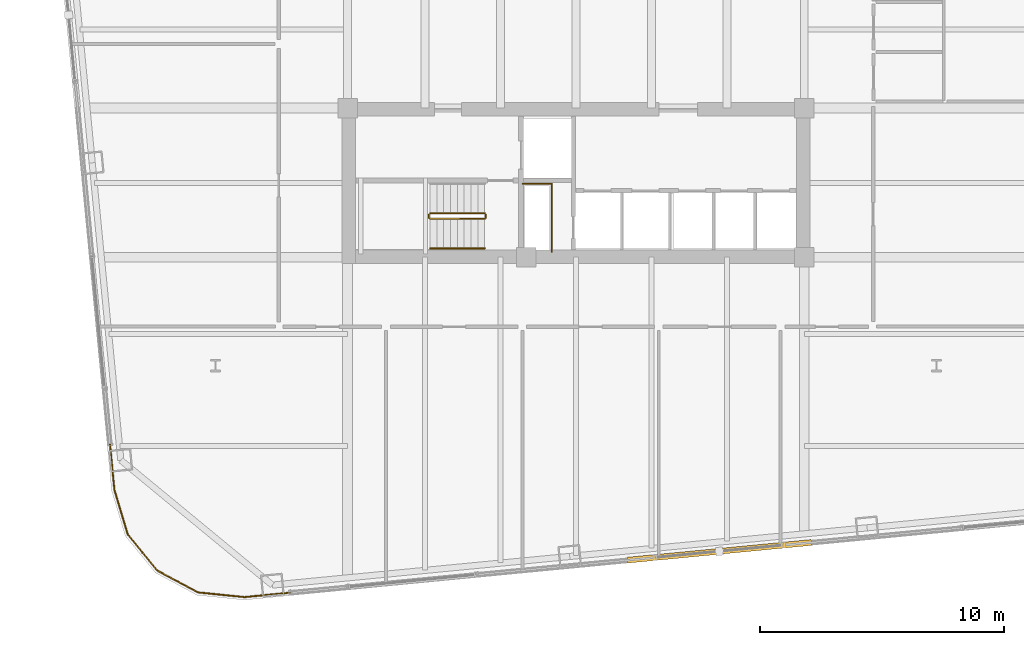
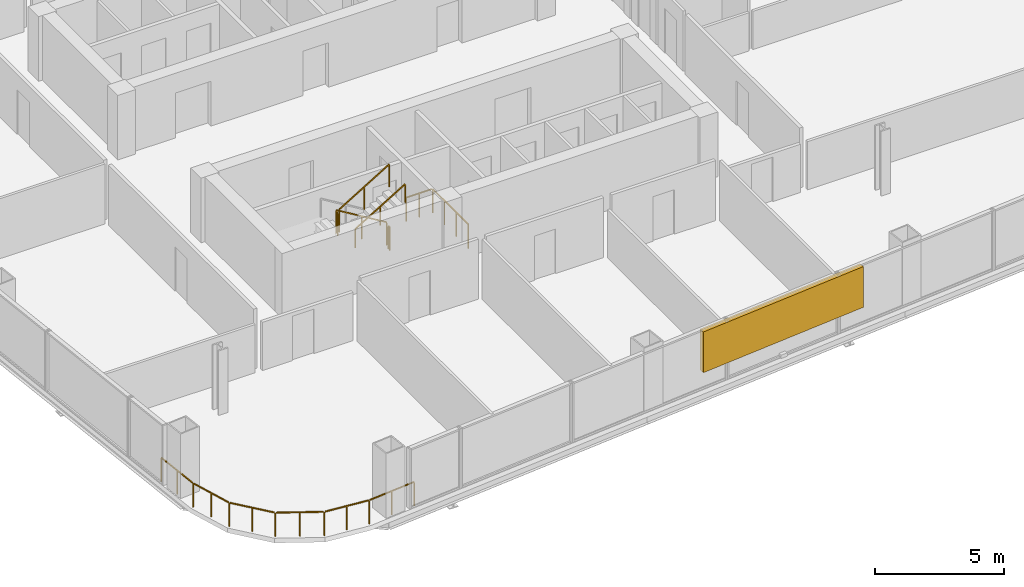
# One storey, part 25 of 27: 7 railings, 1 shading device.
"""IFC4 building model written with IfcOpenShell, lengths in metres."""

from ifc_helpers import new_model, si_unit, direction, frame, origin, origin_2d, place, context, subcontext, project, spatial, rectangle, extrude, material, type_object, element, save


model = new_model("IFC4")

# Units and contexts
model_context = context("Model", 3, precision=1e-05, world=origin(), true_north=direction((0.0, 1.0)))
body_context = subcontext(model_context, "Body", "Model", "MODEL_VIEW")
ifc_project = project(units=[si_unit("LENGTHUNIT", "METRE"), si_unit("AREAUNIT", "SQUARE_METRE"), si_unit("VOLUMEUNIT", "CUBIC_METRE"), si_unit("PLANEANGLEUNIT", "RADIAN"), si_unit("MASSUNIT", "GRAM", prefix="KILO")], contexts=[model_context])

# Site, building, storey
site_placement = place(None, origin())
site = spatial("IfcSite", under=ifc_project, at=site_placement, CompositionType="ELEMENT")
building_placement = place(site_placement, origin())
building = spatial("IfcBuilding", under=site, at=building_placement, Name="Qhalaya Broadcast Tower", CompositionType="ELEMENT")
storey_placement = place(building_placement, frame((0.0, 0.0, 84.699951171875)))
storey = spatial("IfcBuildingStorey", under=building, at=storey_placement, Name="L24", CompositionType="ELEMENT", Elevation=84.699951171875)

# Railings
ifc_material_1 = material(Name="Powder-Coated Galvanised Steel", Category="steel")
railing_type_1 = type_object("IfcRailingType", Name="Stair Wall Handrail 900", PredefinedType="HANDRAIL", material=ifc_material_1)
railing_1_placement = place(storey_placement, frame((-5.989990234375, -8.389892578125, 1.694580078125)))
element("IfcRailing", 1, at=railing_1_placement, inside=storey, type_object=railing_type_1, Name="L24 ST-2 Stair Handrail 2", PredefinedType="HANDRAIL", context=body_context, shape_type="SweptSolid", body=[
    extrude(rectangle(XDim=0.048095703125, YDim=0.048095703125, at=origin_2d()), frame((0.0, 0.0, 0.8759765625), z_axis=(0.855553338991, 0.0, 0.51771467445), x_axis=(0.0, 1.0, 0.0)), (0.0, 0.0, 1.0), 2.6181640625),
    extrude(rectangle(XDim=0.0419921875, YDim=0.0419921875, at=origin_2d()), origin(), (0.0, 0.0, 1.0), 0.849853515625),
    extrude(rectangle(XDim=0.0419921875, YDim=0.0419921875, at=origin_2d()), frame((1.1201171875, 0.0, 0.677734375)), (0.0, 0.0, 1.0), 0.849853515625),
    extrude(rectangle(XDim=0.0419921875, YDim=0.0419921875, at=origin_2d()), frame((2.239990234375, 0.0, 1.35546875)), (0.0, 0.0, 1.0), 0.849853515625),
])
railing_type_2 = type_object("IfcRailingType", Name="Stair Well & Landing Guardrail 1100", PredefinedType="GUARDRAIL", material=ifc_material_1)
railing_2_placement = place(storey_placement, frame((-1.0, -8.52001953125, 0.0)))
element("IfcRailing", 2, at=railing_2_placement, inside=storey, type_object=railing_type_2, Name="L24 Service Riser Opening Safety Guard SRSR", PredefinedType="GUARDRAIL", context=body_context, shape_type="SweptSolid", body=[
    extrude(rectangle(XDim=0.048095703125, YDim=0.048095703125, at=origin_2d()), frame((0.0, 0.0, 1.1259765625), z_axis=(0.0, 1.0, 0.0), x_axis=(-1.0, 0.0, 0.0)), (0.0, 0.0, 1.0), 2.751220703125),
    extrude(rectangle(XDim=0.048095703125, YDim=0.048095703125, at=origin_2d()), frame((-0.02880859375, 2.780029296875, 1.1259765625), z_axis=(-1.0, 0.0, 0.0), x_axis=(0.0, -1.0, 0.0)), (0.0, 0.0, 1.0), 1.151123046875),
    extrude(rectangle(XDim=0.0419921875, YDim=0.0419921875, at=origin_2d()), origin(), (0.0, 0.0, 1.0), 1.099853515625),
    extrude(rectangle(XDim=0.0419921875, YDim=0.0419921875, at=origin_2d()), frame((0.0, 0.9267578125, 0.0)), (0.0, 0.0, 1.0), 1.099853515625),
    extrude(rectangle(XDim=0.0419921875, YDim=0.0419921875, at=origin_2d()), frame((0.0, 1.853271484375, 0.0)), (0.0, 0.0, 1.0), 1.099853515625),
    extrude(rectangle(XDim=0.0419921875, YDim=0.0419921875, at=origin_2d()), frame((0.0, 2.780029296875, 0.0)), (0.0, 0.0, 1.0), 1.099853515625),
    extrude(rectangle(XDim=0.0419921875, YDim=0.0419921875, at=origin_2d()), frame((-0.58984375, 2.780029296875, 0.0)), (0.0, 0.0, 1.0), 1.099853515625),
    extrude(rectangle(XDim=0.0419921875, YDim=0.0419921875, at=origin_2d()), frame((-1.179931640625, 2.780029296875, 0.0)), (0.0, 0.0, 1.0), 1.099853515625),
])
railing_3_placement = place(storey_placement, frame((-3.75, -6.949951171875, 0.16943359375)))
element("IfcRailing", 3, at=railing_3_placement, inside=storey, type_object=railing_type_2, Name="L24 ST-2 Stair Guard 1", PredefinedType="GUARDRAIL", context=body_context, shape_type="SweptSolid", body=[
    extrude(rectangle(XDim=0.048095703125, YDim=0.048095703125, at=origin_2d()), frame((0.0, 0.0, 1.076171875), z_axis=(-0.855512035549, 0.0, 0.517782924622), x_axis=(0.0, -1.0, 0.0)), (0.0, 0.0, 1.0), 2.618408203125),
    extrude(rectangle(XDim=0.0419921875, YDim=0.0419921875, at=origin_2d()), origin(), (0.0, 0.0, 1.0), 1.050048828125),
    extrude(rectangle(XDim=0.0419921875, YDim=0.0419921875, at=origin_2d()), frame((-1.1201171875, 0.0, 0.677734375)), (0.0, 0.0, 1.0), 1.050048828125),
    extrude(rectangle(XDim=0.0419921875, YDim=0.0419921875, at=origin_2d()), frame((-2.239990234375, 0.0, 1.355712890625)), (0.0, 0.0, 1.0), 1.050048828125),
])
railing_4_placement = place(storey_placement, frame((-6.0400390625, -7.0, 1.525146484375)))
element("IfcRailing", 4, at=railing_4_placement, inside=storey, type_object=railing_type_2, Name="L24 ST-2 Stair Guard 2", PredefinedType="GUARDRAIL", context=body_context, shape_type="SweptSolid", body=[
    extrude(rectangle(XDim=0.048095703125, YDim=0.048095703125, at=origin_2d()), frame((0.0, 0.0, 1.076171875), z_axis=(0.0, -1.0, 0.0), x_axis=(1.0, 0.0, 0.0)), (0.0, 0.0, 1.0), 0.1201171875),
    extrude(rectangle(XDim=0.0419921875, YDim=0.0419921875, at=origin_2d()), origin(), (0.0, 0.0, 1.0), 1.050048828125),
    extrude(rectangle(XDim=0.0419921875, YDim=0.0419921875, at=origin_2d()), frame((0.0, -0.1201171875, 0.0)), (0.0, 0.0, 1.0), 1.050048828125),
])
railing_5_placement = place(storey_placement, frame((-5.989990234375, -7.169921875, 1.694580078125)))
element("IfcRailing", 5, at=railing_5_placement, inside=storey, type_object=railing_type_2, Name="L24 ST-2 Stair Guard 3", PredefinedType="GUARDRAIL", context=body_context, shape_type="SweptSolid", body=[
    extrude(rectangle(XDim=0.048095703125, YDim=0.048095703125, at=origin_2d()), frame((0.0, 0.0, 1.076171875), z_axis=(0.855553338991, 0.0, 0.51771467445), x_axis=(0.0, 1.0, 0.0)), (0.0, 0.0, 1.0), 2.6181640625),
    extrude(rectangle(XDim=0.0419921875, YDim=0.0419921875, at=origin_2d()), origin(), (0.0, 0.0, 1.0), 1.050048828125),
    extrude(rectangle(XDim=0.0419921875, YDim=0.0419921875, at=origin_2d()), frame((1.1201171875, 0.0, 0.677734375)), (0.0, 0.0, 1.0), 1.050048828125),
    extrude(rectangle(XDim=0.0419921875, YDim=0.0419921875, at=origin_2d()), frame((2.239990234375, 0.0, 1.35546875)), (0.0, 0.0, 1.0), 1.050048828125),
])
railing_6_placement = place(storey_placement, frame((-3.699951171875, -7.0, 0.0)))
element("IfcRailing", 6, at=railing_6_placement, inside=storey, type_object=railing_type_2, Name="L24 ST-2 Stair Guard 4", PredefinedType="GUARDRAIL", context=body_context, shape_type="SweptSolid", body=[
    extrude(rectangle(XDim=0.048095703125, YDim=0.048095703125, at=origin_2d()), frame((0.0, 0.0, 1.076171875), z_axis=(0.0, -1.0, 0.0), x_axis=(1.0, 0.0, 0.0)), (0.0, 0.0, 1.0), 0.1201171875),
    extrude(rectangle(XDim=0.0419921875, YDim=0.0419921875, at=origin_2d()), origin(), (0.0, 0.0, 1.0), 1.050048828125),
    extrude(rectangle(XDim=0.0419921875, YDim=0.0419921875, at=origin_2d()), frame((0.0, -0.1201171875, 0.0)), (0.0, 0.0, 1.0), 1.050048828125),
])
railing_type_3 = type_object("IfcRailingType", Name="Terrace, Sky-Pool & Lookout Glass Balustrade 1150", PredefinedType="BALUSTRADE", material=ifc_material_1)
railing_7_placement = place(storey_placement, frame((-11.50341796875, -22.501708984375, 0.0)))
element("IfcRailing", 7, at=railing_7_placement, inside=storey, type_object=railing_type_3, Name="L24 Rounded Corner Perimeter Guard 02", PredefinedType="BALUSTRADE", context=body_context, shape_type="SweptSolid", body=[
    extrude(rectangle(XDim=0.048095703125, YDim=0.048095703125, at=origin_2d()), frame((0.0, 0.0, 1.1259765625), z_axis=(-0.995402268864, -0.095782687057, 0.0), x_axis=(0.095782687057, -0.995402268864, 0.0)), (0.0, 0.0, 1.0), 2.08935546875),
    extrude(rectangle(XDim=0.048095703125, YDim=0.048095703125, at=origin_2d()), frame((-2.13720703125, -0.199951171875, 1.1259765625), z_axis=(-0.994978953282, 0.100084377028, 0.0), x_axis=(-0.100084377028, -0.994978953282, 0.0)), (0.0, 0.0, 1.0), 1.857177734375),
    extrude(rectangle(XDim=0.048095703125, YDim=0.048095703125, at=origin_2d()), frame((-4.0390625, 0.00244140625, 1.1259765625), z_axis=(-0.880907290044, 0.473288861424, 0.0), x_axis=(-0.473288861424, -0.880907290044, 0.0)), (0.0, 0.0, 1.0), 1.845703125),
    extrude(rectangle(XDim=0.048095703125, YDim=0.048095703125, at=origin_2d()), frame((-5.708740234375, 0.912109375, 1.1259765625), z_axis=(-0.632671796541, 0.774420039683, 0.0), x_axis=(-0.774420039683, -0.632671796541, 0.0)), (0.0, 0.0, 1.0), 1.845458984375),
    extrude(rectangle(XDim=0.048095703125, YDim=0.048095703125, at=origin_2d()), frame((-6.90283203125, 2.39111328125, 1.1259765625), z_axis=(-0.288213171456, 0.95756627332, 0.0), x_axis=(-0.95756627332, -0.288213171456, 0.0)), (0.0, 0.0, 1.0), 1.857421875),
    extrude(rectangle(XDim=0.048095703125, YDim=0.048095703125, at=origin_2d()), frame((-7.44921875, 4.226318359375, 1.1259765625), z_axis=(-0.095782687057, 0.995402268864, 0.0), x_axis=(-0.995402268864, -0.095782687057, 0.0)), (0.0, 0.0, 1.0), 2.08935546875),
    extrude(rectangle(XDim=0.0419921875, YDim=0.0419921875, at=origin_2d()), origin(), (0.0, 0.0, 1.0), 1.099853515625),
    extrude(rectangle(XDim=0.0419921875, YDim=0.0419921875, at=origin_2d()), frame((-1.05419921875, -0.1015625, 0.0)), (0.0, 0.0, 1.0), 1.099853515625),
    extrude(rectangle(XDim=0.0419921875, YDim=0.0419921875, at=origin_2d()), frame((-2.1083984375, -0.202880859375, 0.0)), (0.0, 0.0, 1.0), 1.099853515625),
    extrude(rectangle(XDim=0.0419921875, YDim=0.0419921875, at=origin_2d()), frame((-3.06103515625, -0.10693359375, 0.0)), (0.0, 0.0, 1.0), 1.099853515625),
    extrude(rectangle(XDim=0.0419921875, YDim=0.0419921875, at=origin_2d()), frame((-4.013671875, -0.01123046875, 0.0)), (0.0, 0.0, 1.0), 1.099853515625),
    extrude(rectangle(XDim=0.0419921875, YDim=0.0419921875, at=origin_2d()), frame((-4.85205078125, 0.439208984375, 0.0)), (0.0, 0.0, 1.0), 1.099853515625),
    extrude(rectangle(XDim=0.0419921875, YDim=0.0419921875, at=origin_2d()), frame((-5.6904296875, 0.8896484375, 0.0)), (0.0, 0.0, 1.0), 1.099853515625),
    extrude(rectangle(XDim=0.0419921875, YDim=0.0419921875, at=origin_2d()), frame((-6.29248046875, 1.62646484375, 0.0)), (0.0, 0.0, 1.0), 1.099853515625),
    extrude(rectangle(XDim=0.0419921875, YDim=0.0419921875, at=origin_2d()), frame((-6.89453125, 2.363525390625, 0.0)), (0.0, 0.0, 1.0), 1.099853515625),
    extrude(rectangle(XDim=0.0419921875, YDim=0.0419921875, at=origin_2d()), frame((-7.17041015625, 3.280517578125, 0.0)), (0.0, 0.0, 1.0), 1.099853515625),
    extrude(rectangle(XDim=0.0419921875, YDim=0.0419921875, at=origin_2d()), frame((-7.446533203125, 4.197509765625, 0.0)), (0.0, 0.0, 1.0), 1.099853515625),
    extrude(rectangle(XDim=0.0419921875, YDim=0.0419921875, at=origin_2d()), frame((-7.5478515625, 5.251708984375, 0.0)), (0.0, 0.0, 1.0), 1.099853515625),
    extrude(rectangle(XDim=0.0419921875, YDim=0.0419921875, at=origin_2d()), frame((-7.6494140625, 6.305908203125, 0.0)), (0.0, 0.0, 1.0), 1.099853515625),
])

# Shading device
ifc_material_2 = material(Name="Fired Architectural Terracotta", Category="masonry")
shading_device_type = type_object("IfcShadingDeviceType", Name="Terracotta Baguette Solar Screen Assembly TBS-01", PredefinedType="USERDEFINED", material=ifc_material_2)
shading_device_placement = place(storey_placement, frame((5.88623046875, -20.827392578125, 0.79248046875), z_axis=(0.0, 0.0, 1.0), x_axis=(0.995396198367, 0.09584575252, 0.0)))
element("IfcShadingDevice", 8, at=shading_device_placement, inside=storey, type_object=shading_device_type, Name="L24 Fired Terracotta Baguette Screen S", ObjectType="BAGUETTE", PredefinedType="USERDEFINED", context=body_context, shape_type="SweptSolid", body=[
    extrude(rectangle(XDim=7.60009765625, YDim=0.239990234375, at=origin_2d()), origin(), (0.0, 0.0, 1.0), 1.924072265625),
])

save(model, "model.ifc")
